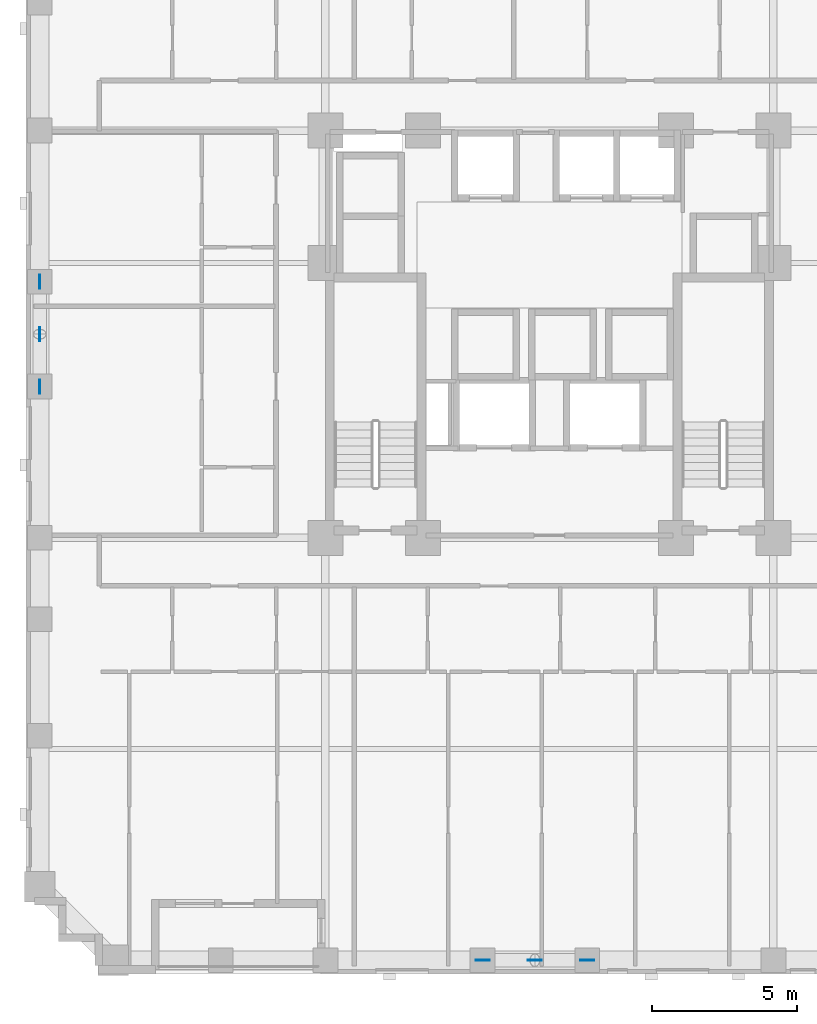
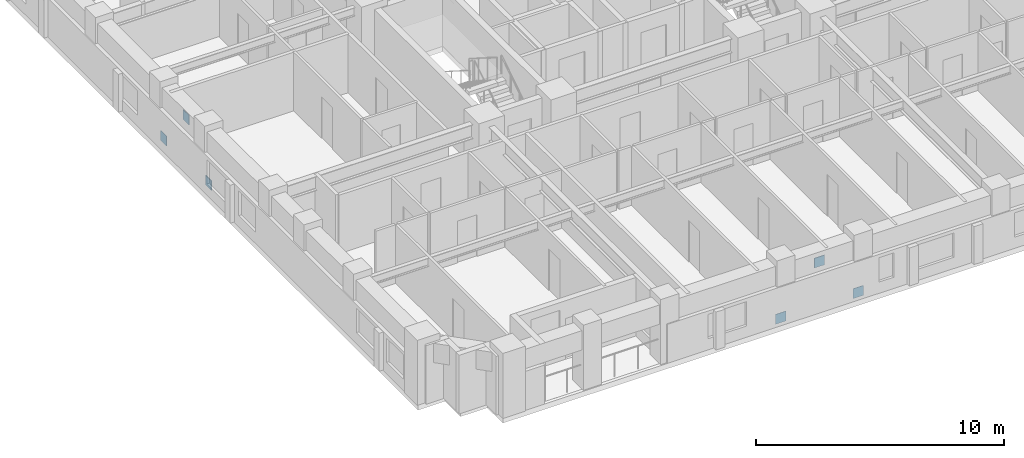
# One storey, part 10 of 14: 6 discrete accessories.
"""IFC4 building model written with IfcOpenShell, lengths in metres."""

from ifc_helpers import new_model, si_unit, derived_unit, direction, frame, origin, origin_2d, place, context, subcontext, project, spatial, rectangle, extrude, material, layer, layer_set, type_object, element, save


model = new_model("IFC4")

# Units and contexts
model_context = context("Model", 3, precision=1e-05, world=origin(), true_north=direction((0.0, 1.0)))
body_context = subcontext(model_context, "Body", "Model", "MODEL_VIEW")
ifc_project = project(units=[si_unit("LENGTHUNIT", "METRE"), si_unit("AREAUNIT", "SQUARE_METRE"), si_unit("VOLUMEUNIT", "CUBIC_METRE"), si_unit("PLANEANGLEUNIT", "RADIAN"), si_unit("MASSUNIT", "GRAM", prefix="KILO"), derived_unit("THERMALTRANSMITTANCEUNIT", [(si_unit("MASSUNIT", "GRAM", prefix="KILO"), 1), (si_unit("TIMEUNIT", "SECOND"), -3), (si_unit("THERMODYNAMICTEMPERATUREUNIT", "KELVIN"), -1)])], contexts=[model_context])

# Site, building, storey
site_placement = place(None, origin())
site = spatial("IfcSite", under=ifc_project, at=site_placement, CompositionType="ELEMENT")
building_placement = place(site_placement, origin())
building = spatial("IfcBuilding", under=site, at=building_placement, Name="Korrvale Station Residences", CompositionType="ELEMENT")
storey_placement = place(building_placement, frame((0.0, 0.0, 67.39990234375)))
storey = spatial("IfcBuildingStorey", under=building, at=storey_placement, Name="L18", CompositionType="ELEMENT", Elevation=67.39990234375)

# Discrete accessories
ifc_material = material(Name="Steel S355", Category="steel")
ifc_layer = layer(ifc_material, 0.02490234375, Name="Steel S355")
ifc_layer_set = layer_set([ifc_layer], Name="Steel S355")
discrete_accessory_type = type_object("IfcDiscreteAccessoryType", Name="ACC-GUSSET-25", PredefinedType="BRACKET", material=ifc_layer_set)
for number, where, z_axis, x_axis, name in (
    (1, (23.199951171875, 0.47998046875, -0.219970703125), (0.0, 0.0, 1.0), (1.0, 0.0, 0.0), "L18 S Brace End Gusset Connection A"),
    (2, (26.800048828125, 0.47998046875, -0.219970703125), (0.0, 0.0, 1.0), (1.0, 0.0, 0.0), "L18 S Brace End Gusset Connection B"),
    (3, (25.0, 0.47998046875, 1.91015625), (0.0, 0.0, 1.0), (1.0, 0.0, 0.0), "L18 S Brace End Gusset Connection M"),
    (4, (7.97998046875, 20.199951171875, -0.219970703125), (0.0, 0.0, 1.0), (0.0, 1.0, 0.0), "L18 W Brace End Gusset Connection A"),
    (5, (7.97998046875, 23.800048828125, -0.219970703125), (0.0, 0.0, 1.0), (0.0, 1.0, 0.0), "L18 W Brace End Gusset Connection B"),
    (6, (7.97998046875, 22.0, 1.91015625), (0.0, 0.0, 1.0), (0.0, 1.0, 0.0), "L18 W Brace End Gusset Connection M"),
):
    element("IfcDiscreteAccessory", number, at=place(storey_placement, frame(where, z_axis=z_axis, x_axis=x_axis)), inside=storey, type_object=discrete_accessory_type, Name=name, PredefinedType="BRACKET", context=body_context, shape_type="SweptSolid", body=[
        extrude(rectangle(XDim=0.47998046875, YDim=0.02490234375, at=origin_2d()), origin(), (0.0, 0.0, 1.0), 0.47998046875),
    ])

save(model, "model.ifc")
